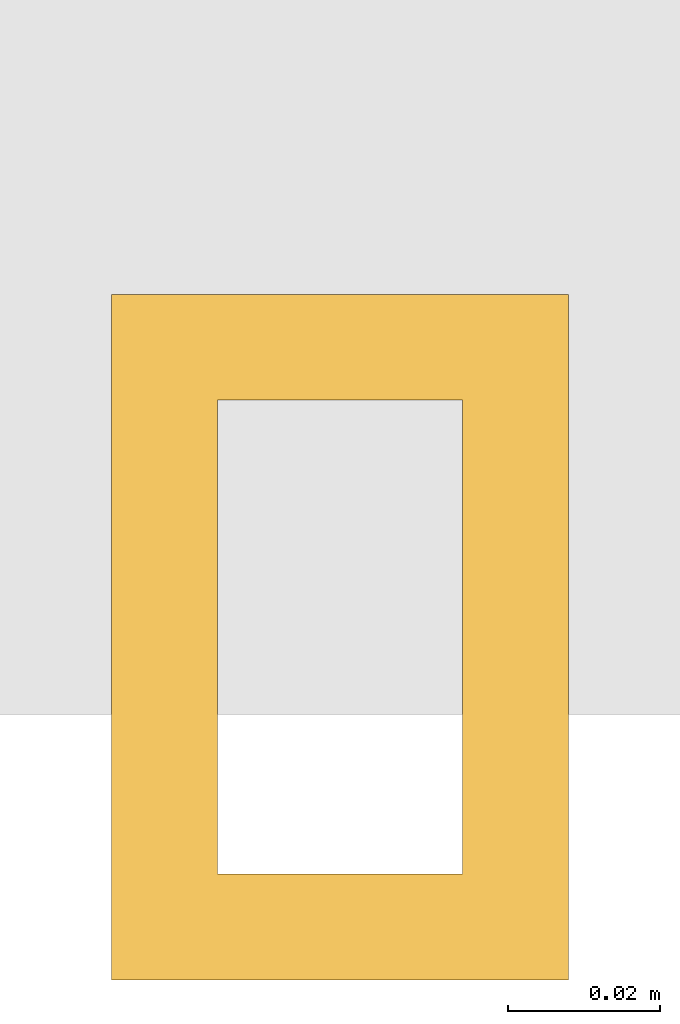
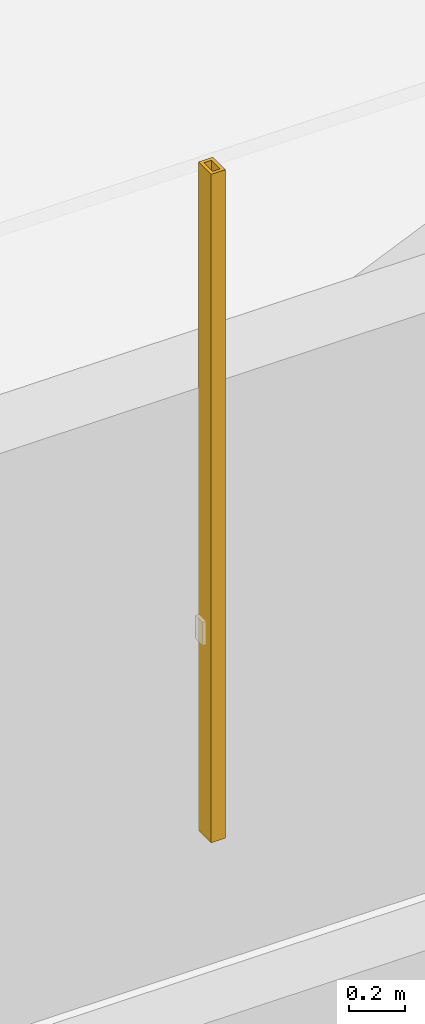
# One storey, part 32 of 38: 1 shading device.
"""IFC4 building model written with IfcOpenShell, lengths in metres."""

from ifc_helpers import new_model, si_unit, direction, frame, origin, origin_2d, place, context, subcontext, project, spatial, hollow_rectangle, extrude, material, material_profile, profile_set, type_object, element, save


model = new_model("IFC4")

# Units and contexts
model_context = context("Model", 3, precision=1e-05, world=origin(), true_north=direction((0.0, 1.0)))
body_context = subcontext(model_context, "Body", "Model", "MODEL_VIEW")
ifc_project = project(units=[si_unit("LENGTHUNIT", "METRE"), si_unit("AREAUNIT", "SQUARE_METRE"), si_unit("VOLUMEUNIT", "CUBIC_METRE"), si_unit("PLANEANGLEUNIT", "RADIAN"), si_unit("MASSUNIT", "GRAM", prefix="KILO")], contexts=[model_context])

# Site, building, storey
site_placement = place(None, origin())
site = spatial("IfcSite", under=ifc_project, at=site_placement, CompositionType="ELEMENT")
building_placement = place(site_placement, origin())
building = spatial("IfcBuilding", under=site, at=building_placement, Name="Punatoya Terracotta Tower", CompositionType="ELEMENT")
storey_placement = place(building_placement, frame((0.0, 0.0, 188.39990234375)))
storey = spatial("IfcBuildingStorey", under=building, at=storey_placement, Name="L44", CompositionType="ELEMENT", Elevation=188.39990234375)

# Shading device
ifc_material = material(Name="Architectural Fired Terracotta", Category="masonry")
ifc_material_profile = material_profile(ifc_material, hollow_rectangle(XDim=0.06005859375, YDim=0.090087890625, WallThickness=0.013916015625, at=origin_2d()))
ifc_profile_set = profile_set([ifc_material_profile], Name="Architectural Fired Terracotta")
shading_device_type = type_object("IfcShadingDeviceType", Name="SHD-JALI-90", PredefinedType="JALOUSIE", material=ifc_profile_set)
shading_device_placement = place(storey_placement, frame((0.0, -23.449951171875, 0.60009765625), z_axis=(0.0, 0.0, 1.0), x_axis=(1.0, 0.0, 0.0)))
element("IfcShadingDevice", 1, at=shading_device_placement, inside=storey, type_object=shading_device_type, Name="L44 Braced Bay Terracotta Jali Fin S1", PredefinedType="JALOUSIE", context=body_context, shape_type="SweptSolid", body=[
    extrude(hollow_rectangle(XDim=0.06005859375, YDim=0.090087890625, WallThickness=0.013916015625, at=origin_2d()), origin(), (0.0, 0.0, 1.0), 2.929931640625),
])

save(model, "model.ifc")
